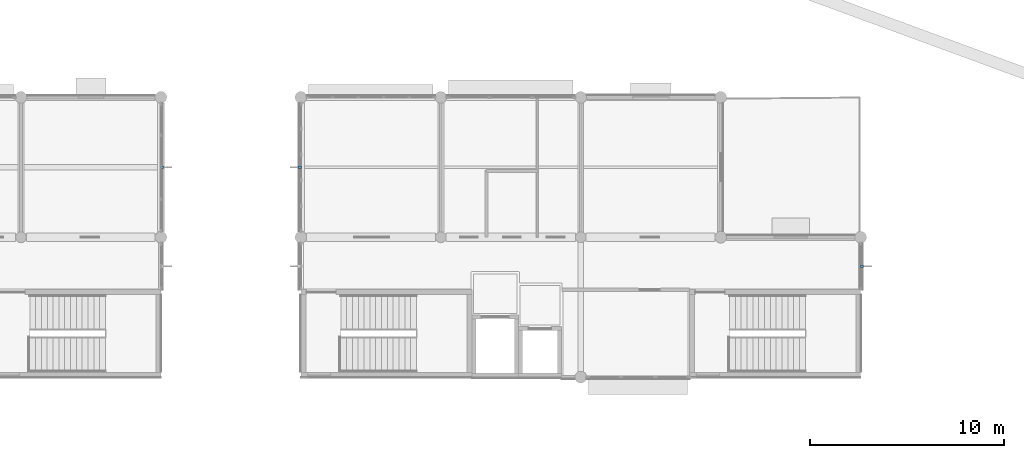
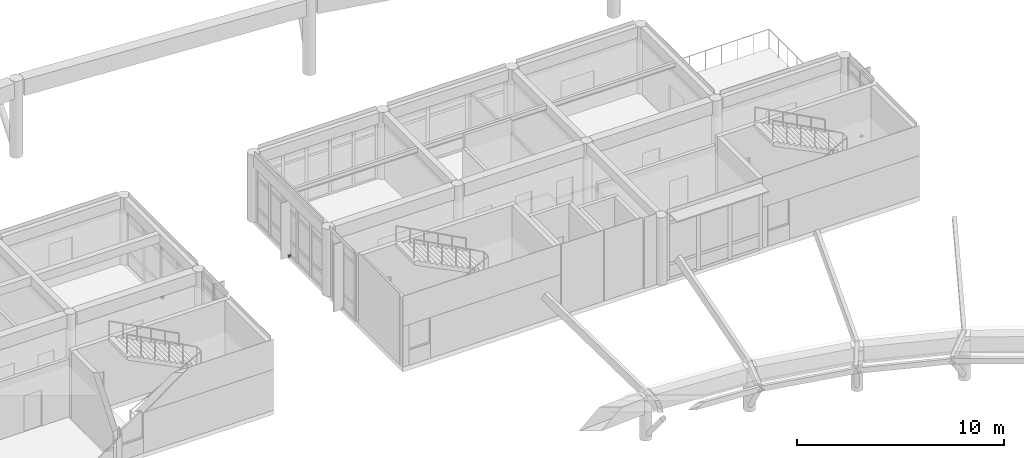
# One storey, part 29 of 37: 3 discrete accessories.
"""IFC4 building model written with IfcOpenShell, lengths in metres."""

from ifc_helpers import new_model, si_unit, direction, frame, origin, origin_2d, place, context, subcontext, project, spatial, rectangle, extrude, material, type_object, element, save


model = new_model("IFC4")

# Units and contexts
model_context = context("Model", 3, precision=1e-05, world=origin(), true_north=direction((0.0, 1.0)))
body_context = subcontext(model_context, "Body", "Model", "MODEL_VIEW")
ifc_project = project(units=[si_unit("LENGTHUNIT", "METRE"), si_unit("AREAUNIT", "SQUARE_METRE"), si_unit("VOLUMEUNIT", "CUBIC_METRE"), si_unit("PLANEANGLEUNIT", "RADIAN"), si_unit("MASSUNIT", "GRAM", prefix="KILO")], contexts=[model_context])

# Site, building, storey
site_placement = place(None, origin())
site = spatial("IfcSite", under=ifc_project, at=site_placement, CompositionType="ELEMENT")
building_placement = place(site_placement, origin())
building = spatial("IfcBuilding", under=site, at=building_placement, Name="Namkhue Oval Health Centre", CompositionType="ELEMENT")
storey_placement = place(building_placement, frame((0.0, 0.0, 22.199951171875)))
storey = spatial("IfcBuildingStorey", under=building, at=storey_placement, Name="L05", CompositionType="ELEMENT", Elevation=22.199951171875)

# Discrete accessories
ifc_material = material(Name="Structural steel S355JR (TCVN CCT38)", Category="steel")
discrete_accessory_type = type_object("IfcDiscreteAccessoryType", Name="FACADE SHADING BRACKET", PredefinedType="BRACKET", material=ifc_material)
for number, where, z_axis, x_axis, name in (
    (1, (86.4599609375, 100.800048828125, 0.0), (0.0, 0.0, 1.0), (1.0, 0.0, 0.0), "Solar Fin Bracket 111"),
    (2, (122.4599609375, 95.70361328125, 0.0), (0.0, 0.0, 1.0), (1.0, 0.0, 0.0), "Solar Fin Bracket 173"),
    (3, (93.5400390625, 100.800048828125, 0.0), (0.0, 0.0, 1.0), (-1.0, 0.0, 0.0), "Solar Fin Bracket 178"),
):
    element("IfcDiscreteAccessory", number, at=place(storey_placement, frame(where, z_axis=z_axis, x_axis=x_axis)), inside=storey, type_object=discrete_accessory_type, Name=name, PredefinedType="BRACKET", context=body_context, shape_type="SweptSolid", body=[
        extrude(rectangle(XDim=0.159912109375, YDim=0.1201171875, at=origin_2d()), origin(), (0.0, 0.0, 1.0), 0.1201171875),
    ])

save(model, "model.ifc")
